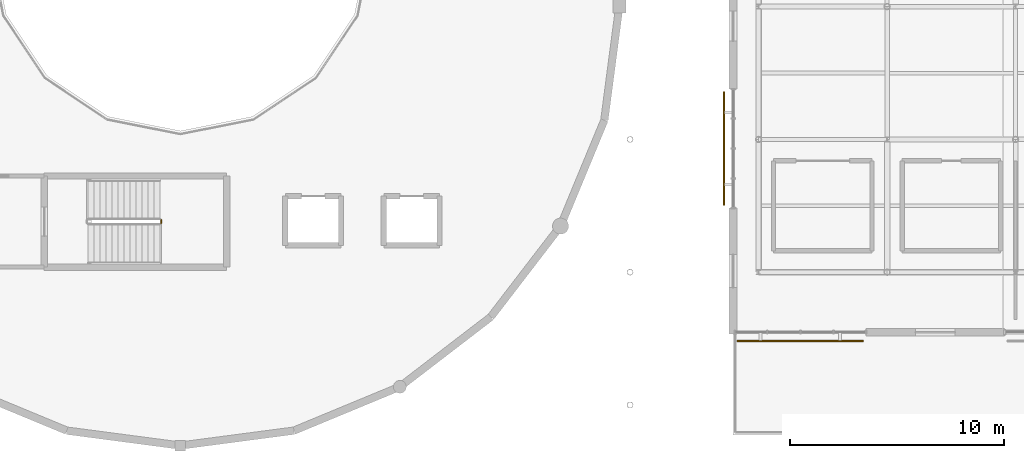
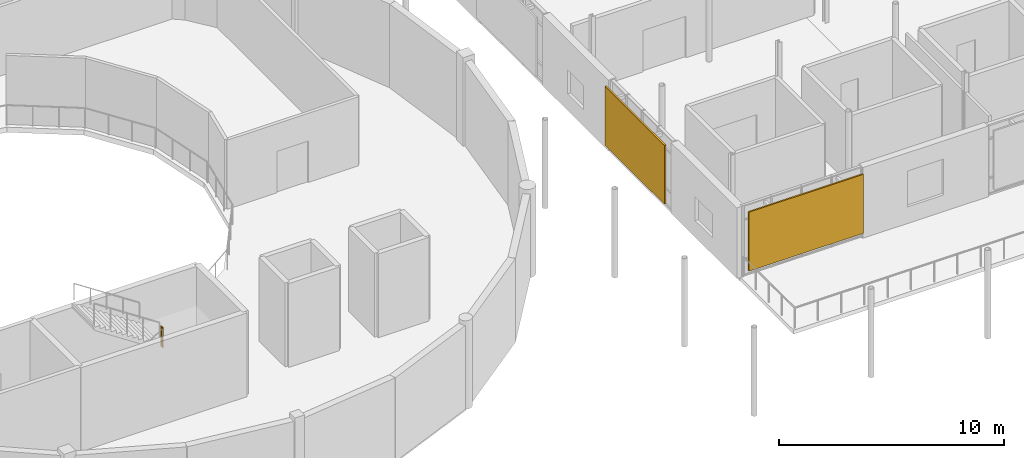
# One storey, part 58 of 66: 2 shading devices, 1 railing.
"""IFC4 building model written with IfcOpenShell, lengths in metres."""

from ifc_helpers import new_model, si_unit, direction, frame, origin, origin_2d, place, context, subcontext, project, spatial, rectangle, circle, extrude, material, layer, layer_set, type_object, element, save


model = new_model("IFC4")

# Units and contexts
model_context = context("Model", 3, precision=1e-05, world=origin(), true_north=direction((0.0, 1.0)))
body_context = subcontext(model_context, "Body", "Model", "MODEL_VIEW")
ifc_project = project(units=[si_unit("LENGTHUNIT", "METRE"), si_unit("AREAUNIT", "SQUARE_METRE"), si_unit("VOLUMEUNIT", "CUBIC_METRE"), si_unit("PLANEANGLEUNIT", "RADIAN"), si_unit("MASSUNIT", "GRAM", prefix="KILO")], contexts=[model_context])

# Site, building, storey
site_placement = place(None, origin())
site = spatial("IfcSite", under=ifc_project, at=site_placement, CompositionType="ELEMENT")
building_placement = place(site_placement, origin())
building = spatial("IfcBuilding", under=site, at=building_placement, Name="Mirzam Square Science Centre", CompositionType="ELEMENT")
storey_placement = place(building_placement, frame((0.0, 0.0, 15.60009765625)))
storey = spatial("IfcBuildingStorey", under=building, at=storey_placement, Name="L03", CompositionType="ELEMENT", Elevation=15.60009765625)

# Railing
ifc_material_1 = material(Name="Bronze-Anodised Architectural Balustrade", Category="aluminium")
railing_type = type_object("IfcRailingType", Name="RL-INT-GUARD-1100", PredefinedType="GUARDRAIL", material=ifc_material_1)
railing_placement = place(storey_placement, frame((80.10009765625, 51.889892578125, 2.39990234375)))
element("IfcRailing", 1, at=railing_placement, inside=storey, type_object=railing_type, Name="L03 ST-03 stair guard 2", PredefinedType="GUARDRAIL", context=body_context, shape_type="SweptSolid", body=[
    extrude(circle(Radius=0.02392578125, at=origin_2d()), frame((0.0, 0.0, 1.076171875), z_axis=(0.0, 1.0, 0.0), x_axis=(-1.0, 0.0, 0.0)), (0.0, 0.0, 1.0), 0.150146484375),
    extrude(circle(Radius=0.02099609375, at=origin_2d()), origin(), (0.0, 0.0, 1.0), 1.052001953125),
    extrude(circle(Radius=0.02099609375, at=origin_2d()), frame((0.0, 0.150146484375, 0.0)), (0.0, 0.0, 1.0), 1.052001953125),
])

# Shading devices
ifc_material_2 = material(Name="Perforated Bronze-Anodised Aluminium Brise-Soleil", Category="aluminium")
ifc_layer = layer(ifc_material_2, 0.080078125)
ifc_layer_set = layer_set([ifc_layer], Name="SHD-BRISE-BRONZE")
shading_device_type = type_object("IfcShadingDeviceType", Name="SHD-BRISE-BRONZE", PredefinedType="JALOUSIE", material=ifc_layer_set)
shading_device_1_placement = place(storey_placement, frame((109.949951171875, 46.389892578125, 0.48974609375), z_axis=(0.0, 0.0, 1.0), x_axis=(1.0, 0.0, 0.0)))
element("IfcShadingDevice", 2, at=shading_device_1_placement, inside=storey, type_object=shading_device_type, Name="L03 bronze brise-soleil screen 113", PredefinedType="JALOUSIE", context=body_context, shape_type="SweptSolid", body=[
    extrude(rectangle(XDim=5.889892578125, YDim=0.080078125, at=origin_2d()), origin(), (0.0, 0.0, 1.0), 3.199951171875),
])
shading_device_2_placement = place(storey_placement, frame((106.389892578125, 55.371337890625, 0.48974609375), z_axis=(0.0, 0.0, 1.0), x_axis=(0.0, -1.0, 0.0)))
element("IfcShadingDevice", 3, at=shading_device_2_placement, inside=storey, type_object=shading_device_type, Name="L03 bronze brise-soleil screen 125", PredefinedType="JALOUSIE", context=body_context, shape_type="SweptSolid", body=[
    extrude(rectangle(XDim=5.30419921875, YDim=0.080078125, at=origin_2d()), origin(), (0.0, 0.0, 1.0), 3.199951171875),
])

save(model, "model.ifc")
